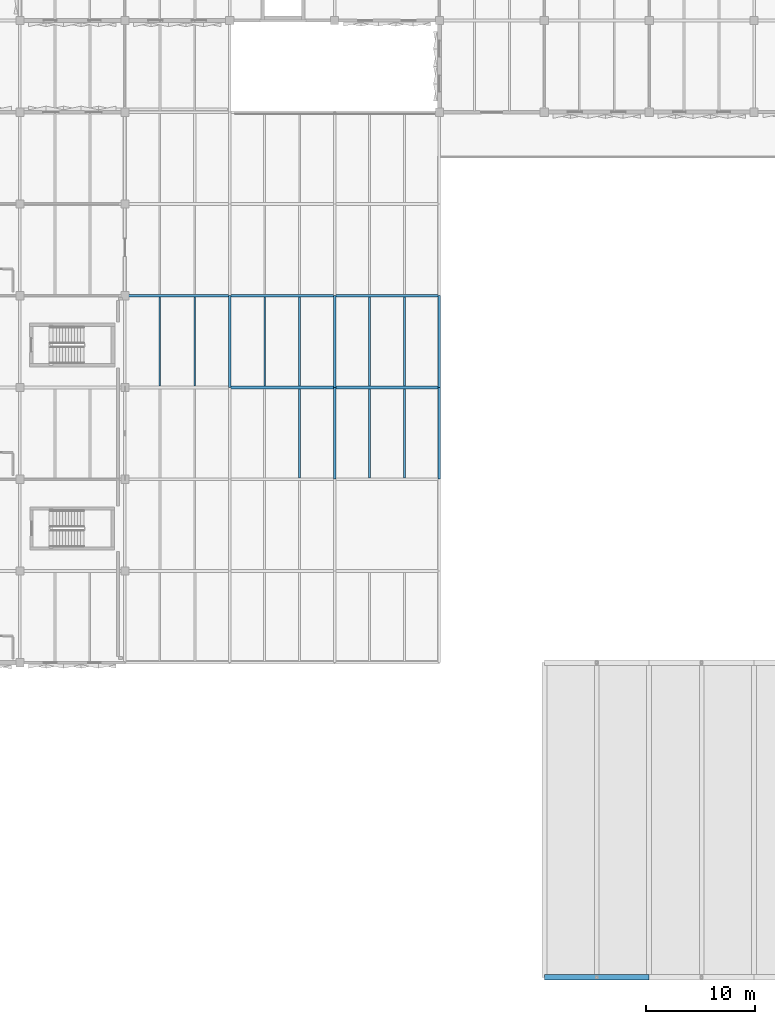
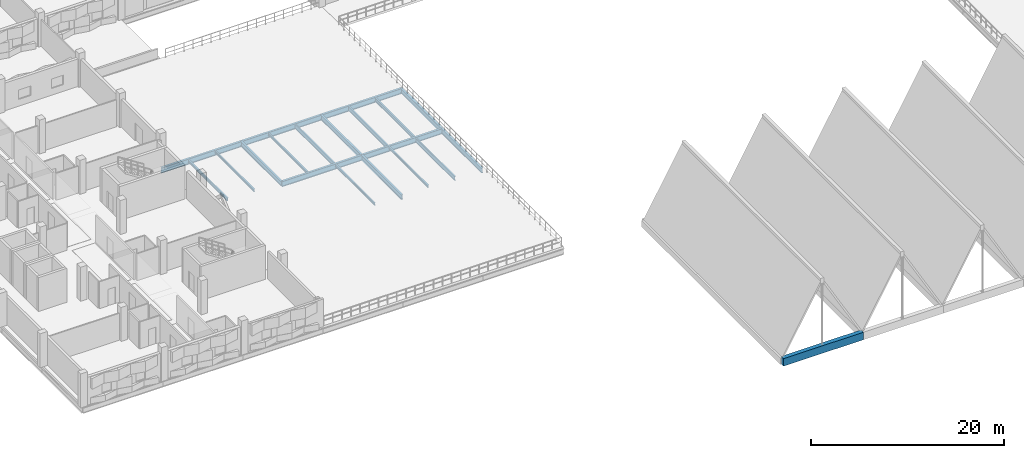
# One storey, part 4 of 86: 20 beams, 1 element without a shape of its own.
"""IFC4 building model written with IfcOpenShell, lengths in metres."""

from ifc_helpers import new_model, si_unit, direction, frame, origin, origin_2d, place, context, subcontext, project, spatial, rectangle, i_section, extrude, material, material_profile, profile_set, type_object, element, aggregate, save


model = new_model("IFC4")

# Units and contexts
model_context = context("Model", 3, precision=1e-05, world=origin(), true_north=direction((0.0, 1.0)))
body_context = subcontext(model_context, "Body", "Model", "MODEL_VIEW")
ifc_project = project(units=[si_unit("LENGTHUNIT", "METRE"), si_unit("AREAUNIT", "SQUARE_METRE"), si_unit("VOLUMEUNIT", "CUBIC_METRE"), si_unit("PLANEANGLEUNIT", "RADIAN"), si_unit("MASSUNIT", "GRAM", prefix="KILO")], contexts=[model_context])

# Site, building, storey
site_placement = place(None, origin())
site = spatial("IfcSite", under=ifc_project, at=site_placement, CompositionType="ELEMENT")
building_placement = place(site_placement, origin())
building = spatial("IfcBuilding", under=site, at=building_placement, Name="Oolite Switchyard Hospital", CompositionType="ELEMENT")
storey_placement = place(building_placement, frame((0.0, 0.0, 13.5)))
storey = spatial("IfcBuildingStorey", under=building, at=storey_placement, Name="L03", CompositionType="ELEMENT", Elevation=13.5)

# Roof, beam
ifc_material_1 = material(Name="Concrete C40/50", Category="concrete")
roof_type = type_object("IfcRoofType", Name="ROOF-FOLDED", PredefinedType="FREEFORM", material=ifc_material_1)
roof_placement = place(storey_placement, origin())
roof = element("IfcRoof", 1, at=roof_placement, inside=storey, type_object=roof_type, Name="L03 Main Arrival Hall Folded-Plate Roof", PredefinedType="FREEFORM")
ifc_material_profile_1 = material_profile(ifc_material_1, rectangle(XDim=0.5, YDim=0.949951171875, at=origin_2d()), Name="RCG500X950")
ifc_profile_set_1 = profile_set([ifc_material_profile_1], Name="Concrete C40/50")
beam_type_1 = type_object("IfcBeamType", Name="BM-GABLE950", PredefinedType="T_BEAM", material=ifc_profile_set_1)
beam_1_placement = place(storey_placement, frame((67.199951171875, 4.800048828125, -0.47509765625), z_axis=(1.0, 0.0, 0.0), x_axis=(0.0, 1.0, 0.0)))
beam_1 = element("IfcBeam", 2, at=beam_1_placement, type_object=beam_type_1, Name="Main Hall Gable Diaphragm Tie Beam S1", PredefinedType="T_BEAM", context=body_context, shape_type="SweptSolid", body=[
    extrude(rectangle(XDim=0.5, YDim=0.949951171875, at=origin_2d()), origin(), (0.0, 0.0, 1.0), 9.60009765625),
])
aggregate(roof, [beam_1])

# Beams
ifc_material_2 = material(Name="Steel ASTM A992 Grade 50", Category="steel")
ifc_material_profile_2 = material_profile(ifc_material_2, i_section(OverallWidth=0.1650390625, OverallDepth=0.31005859375, WebThickness=0.006103515625, FlangeThickness=0.010009765625, at=origin_2d()), Name="W12X26")
ifc_profile_set_2 = profile_set([ifc_material_profile_2], Name="Steel ASTM A992 Grade 50")
beam_type_2 = type_object("IfcBeamType", Name="BM-W12X26", PredefinedType="JOIST", material=ifc_profile_set_2)
for number, where, z_axis, x_axis, name in (
    (3, (35.199951171875, 58.927001953125, -0.445068359375), (0.0, 1.0, 0.0), (-1.0, 0.0, 0.0), "L03 Secondary Steel Joist 2463"),
    (4, (44.800048828125, 50.527099609375, -0.445068359375), (0.0, 1.0, 0.0), (-1.0, 0.0, 0.0), "L03 Secondary Steel Joist 2485"),
    (5, (41.60009765625, 58.927001953125, -0.445068359375), (0.0, 1.0, 0.0), (-1.0, 0.0, 0.0), "L03 Secondary Steel Joist 2486"),
    (6, (51.199951171875, 50.527099609375, -0.445068359375), (0.0, 1.0, 0.0), (-1.0, 0.0, 0.0), "L03 Secondary Steel Joist 2502"),
):
    element("IfcBeam", number, at=place(storey_placement, frame(where, z_axis=z_axis, x_axis=x_axis)), inside=storey, type_object=beam_type_2, Name=name, PredefinedType="JOIST", context=body_context, shape_type="SweptSolid", body=[
        extrude(i_section(OverallWidth=0.1650390625, OverallDepth=0.31005859375, WebThickness=0.006103515625, FlangeThickness=0.010009765625, at=origin_2d()), origin(), (0.0, 0.0, 1.0), 8.14599609375),
    ])
ifc_material_profile_3 = material_profile(ifc_material_2, i_section(OverallWidth=0.1708984375, OverallDepth=0.35107421875, WebThickness=0.007080078125, FlangeThickness=0.010009765625, at=origin_2d()), Name="W14X30")
ifc_profile_set_3 = profile_set([ifc_material_profile_3], Name="Steel ASTM A992 Grade 50")
beam_type_3 = type_object("IfcBeamType", Name="BM-W14X30", PredefinedType="JOIST", material=ifc_profile_set_3)
beam_2_placement = place(storey_placement, frame((32.0, 58.927001953125, -0.465087890625), z_axis=(0.0, 1.0, 0.0), x_axis=(-1.0, 0.0, 0.0)))
element("IfcBeam", 7, at=beam_2_placement, inside=storey, type_object=beam_type_3, Name="L03 Secondary Steel Joist 2462", PredefinedType="JOIST", context=body_context, shape_type="SweptSolid", body=[
    extrude(i_section(OverallWidth=0.1708984375, OverallDepth=0.35107421875, WebThickness=0.007080078125, FlangeThickness=0.010009765625, at=origin_2d()), origin(), (0.0, 0.0, 1.0), 8.14599609375),
])
ifc_material_profile_4 = material_profile(ifc_material_2, i_section(OverallWidth=0.19091796875, OverallDepth=0.4599609375, WebThickness=0.010009765625, FlangeThickness=0.01611328125, at=origin_2d()), Name="W18X55")
ifc_profile_set_4 = profile_set([ifc_material_profile_4], Name="Steel ASTM A992 Grade 50")
beam_type_4 = type_object("IfcBeamType", Name="BM-W18X55", PredefinedType="JOIST", material=ifc_profile_set_4)
beam_3_placement = place(storey_placement, frame((54.39990234375, 58.927001953125, -0.52001953125), z_axis=(0.0, 1.0, 0.0), x_axis=(-1.0, 0.0, 0.0)))
element("IfcBeam", 8, at=beam_3_placement, inside=storey, type_object=beam_type_4, Name="L03 Secondary Steel Joist 2505", PredefinedType="JOIST", context=body_context, shape_type="SweptSolid", body=[
    extrude(i_section(OverallWidth=0.19091796875, OverallDepth=0.4599609375, WebThickness=0.010009765625, FlangeThickness=0.01611328125, at=origin_2d()), origin(), (0.0, 0.0, 1.0), 8.14599609375),
])
ifc_material_profile_5 = material_profile(ifc_material_2, i_section(OverallWidth=0.166015625, OverallDepth=0.529052734375, WebThickness=0.010009765625, FlangeThickness=0.013916015625, at=origin_2d()), Name="W21X50")
ifc_profile_set_5 = profile_set([ifc_material_profile_5], Name="Steel ASTM A992 Grade 50")
beam_type_5 = type_object("IfcBeamType", Name="BM-W21X50", PredefinedType="JOIST", material=ifc_profile_set_5)
for number, where, z_axis, x_axis, name in (
    (9, (44.800048828125, 58.927001953125, -0.553955078125), (0.0, 1.0, 0.0), (-1.0, 0.0, 0.0), "L03 Secondary Steel Joist 2487"),
    (10, (54.39990234375, 50.527099609375, -0.553955078125), (0.0, 1.0, 0.0), (-1.0, 0.0, 0.0), "L03 Secondary Steel Joist 2503"),
    (11, (51.199951171875, 58.927001953125, -0.553955078125), (0.0, 1.0, 0.0), (-1.0, 0.0, 0.0), "L03 Secondary Steel Joist 2504"),
):
    element("IfcBeam", number, at=place(storey_placement, frame(where, z_axis=z_axis, x_axis=x_axis)), inside=storey, type_object=beam_type_5, Name=name, PredefinedType="JOIST", context=body_context, shape_type="SweptSolid", body=[
        extrude(i_section(OverallWidth=0.166015625, OverallDepth=0.529052734375, WebThickness=0.010009765625, FlangeThickness=0.013916015625, at=origin_2d()), origin(), (0.0, 0.0, 1.0), 8.14599609375),
    ])
ifc_material_profile_6 = material_profile(ifc_material_2, i_section(OverallWidth=0.22900390625, OverallDepth=0.612060546875, WebThickness=0.011962890625, FlangeThickness=0.02001953125, at=origin_2d()), Name="W24X84")
ifc_profile_set_6 = profile_set([ifc_material_profile_6], Name="Steel ASTM A992 Grade 50")
beam_type_6 = type_object("IfcBeamType", Name="BM-W24X84", PredefinedType="BEAM", material=ifc_profile_set_6)
beam_4_placement = place(storey_placement, frame((38.39990234375, 58.800048828125, -0.595947265625), z_axis=(0.0, 1.0, 0.0), x_axis=(-1.0, 0.0, 0.0)))
element("IfcBeam", 12, at=beam_4_placement, inside=storey, type_object=beam_type_6, Name="L03 Y-Girder 2214", PredefinedType="BEAM", context=body_context, shape_type="SweptSolid", body=[
    extrude(i_section(OverallWidth=0.22900390625, OverallDepth=0.612060546875, WebThickness=0.011962890625, FlangeThickness=0.02001953125, at=origin_2d()), origin(), (0.0, 0.0, 1.0), 8.39990234375),
])
beam_5_placement = place(storey_placement, frame((48.0, 50.39990234375, -0.595947265625), z_axis=(0.0, 1.0, 0.0), x_axis=(-1.0, 0.0, 0.0)))
element("IfcBeam", 13, at=beam_5_placement, inside=storey, type_object=beam_type_6, Name="L03 Y-Girder 2225", PredefinedType="BEAM", context=body_context, shape_type="SweptSolid", body=[
    extrude(i_section(OverallWidth=0.22900390625, OverallDepth=0.612060546875, WebThickness=0.011962890625, FlangeThickness=0.02001953125, at=origin_2d()), origin(), (0.0, 0.0, 1.0), 8.400146484375),
])
beam_6_placement = place(storey_placement, frame((48.0, 58.800048828125, -0.595947265625), z_axis=(0.0, 1.0, 0.0), x_axis=(-1.0, 0.0, 0.0)))
element("IfcBeam", 14, at=beam_6_placement, inside=storey, type_object=beam_type_6, Name="L03 Y-Girder 2226", PredefinedType="BEAM", context=body_context, shape_type="SweptSolid", body=[
    extrude(i_section(OverallWidth=0.22900390625, OverallDepth=0.612060546875, WebThickness=0.011962890625, FlangeThickness=0.02001953125, at=origin_2d()), origin(), (0.0, 0.0, 1.0), 8.39990234375),
])
beam_7_placement = place(storey_placement, frame((57.60009765625, 50.39990234375, -0.595947265625), z_axis=(0.0, 1.0, 0.0), x_axis=(-1.0, 0.0, 0.0)))
element("IfcBeam", 15, at=beam_7_placement, inside=storey, type_object=beam_type_6, Name="L03 Y-Girder 2236", PredefinedType="BEAM", context=body_context, shape_type="SweptSolid", body=[
    extrude(i_section(OverallWidth=0.22900390625, OverallDepth=0.612060546875, WebThickness=0.011962890625, FlangeThickness=0.02001953125, at=origin_2d()), origin(), (0.0, 0.0, 1.0), 8.400146484375),
])
beam_8_placement = place(storey_placement, frame((57.60009765625, 58.800048828125, -0.595947265625), z_axis=(0.0, 1.0, 0.0), x_axis=(-1.0, 0.0, 0.0)))
element("IfcBeam", 16, at=beam_8_placement, inside=storey, type_object=beam_type_6, Name="L03 Y-Girder 2237", PredefinedType="BEAM", context=body_context, shape_type="SweptSolid", body=[
    extrude(i_section(OverallWidth=0.22900390625, OverallDepth=0.612060546875, WebThickness=0.011962890625, FlangeThickness=0.02001953125, at=origin_2d()), origin(), (0.0, 0.0, 1.0), 8.39990234375),
])
ifc_material_profile_7 = material_profile(ifc_material_2, i_section(OverallWidth=0.25390625, OverallDepth=0.68408203125, WebThickness=0.011962890625, FlangeThickness=0.01904296875, at=origin_2d()), Name="W27X94")
ifc_profile_set_7 = profile_set([ifc_material_profile_7], Name="Steel ASTM A992 Grade 50")
beam_type_7 = type_object("IfcBeamType", Name="BM-W27X94", PredefinedType="BEAM", material=ifc_profile_set_7)
for number, where, z_axis, x_axis, name in (
    (17, (38.39990234375, 58.800048828125, -0.632080078125), (1.0, 0.0, 0.0), (0.0, 1.0, 0.0), "L03 X-Girder 1995"),
    (18, (48.0, 58.800048828125, -0.632080078125), (1.0, 0.0, 0.0), (0.0, 1.0, 0.0), "L03 X-Girder 1996"),
):
    element("IfcBeam", number, at=place(storey_placement, frame(where, z_axis=z_axis, x_axis=x_axis)), inside=storey, type_object=beam_type_7, Name=name, PredefinedType="BEAM", context=body_context, shape_type="SweptSolid", body=[
        extrude(i_section(OverallWidth=0.25390625, OverallDepth=0.68408203125, WebThickness=0.011962890625, FlangeThickness=0.01904296875, at=origin_2d()), origin(), (0.0, 0.0, 1.0), 9.60009765625),
    ])
beam_9_placement = place(storey_placement, frame((28.800048828125, 67.199951171875, -0.632080078125), z_axis=(1.0, 0.0, 0.0), x_axis=(0.0, 1.0, 0.0)))
element("IfcBeam", 19, at=beam_9_placement, inside=storey, type_object=beam_type_7, Name="L03 X-Girder 2010", PredefinedType="BEAM", context=body_context, shape_type="SweptSolid", body=[
    extrude(i_section(OverallWidth=0.25390625, OverallDepth=0.68408203125, WebThickness=0.011962890625, FlangeThickness=0.01904296875, at=origin_2d()), origin(), (0.0, 0.0, 1.0), 9.599853515625),
])
for number, where, z_axis, x_axis, name in (
    (20, (38.39990234375, 67.199951171875, -0.632080078125), (1.0, 0.0, 0.0), (0.0, 1.0, 0.0), "L03 X-Girder 2011"),
    (21, (48.0, 67.199951171875, -0.632080078125), (1.0, 0.0, 0.0), (0.0, 1.0, 0.0), "L03 X-Girder 2012"),
):
    element("IfcBeam", number, at=place(storey_placement, frame(where, z_axis=z_axis, x_axis=x_axis)), inside=storey, type_object=beam_type_7, Name=name, PredefinedType="BEAM", context=body_context, shape_type="SweptSolid", body=[
        extrude(i_section(OverallWidth=0.25390625, OverallDepth=0.68408203125, WebThickness=0.011962890625, FlangeThickness=0.01904296875, at=origin_2d()), origin(), (0.0, 0.0, 1.0), 9.60009765625),
    ])

save(model, "model.ifc")
